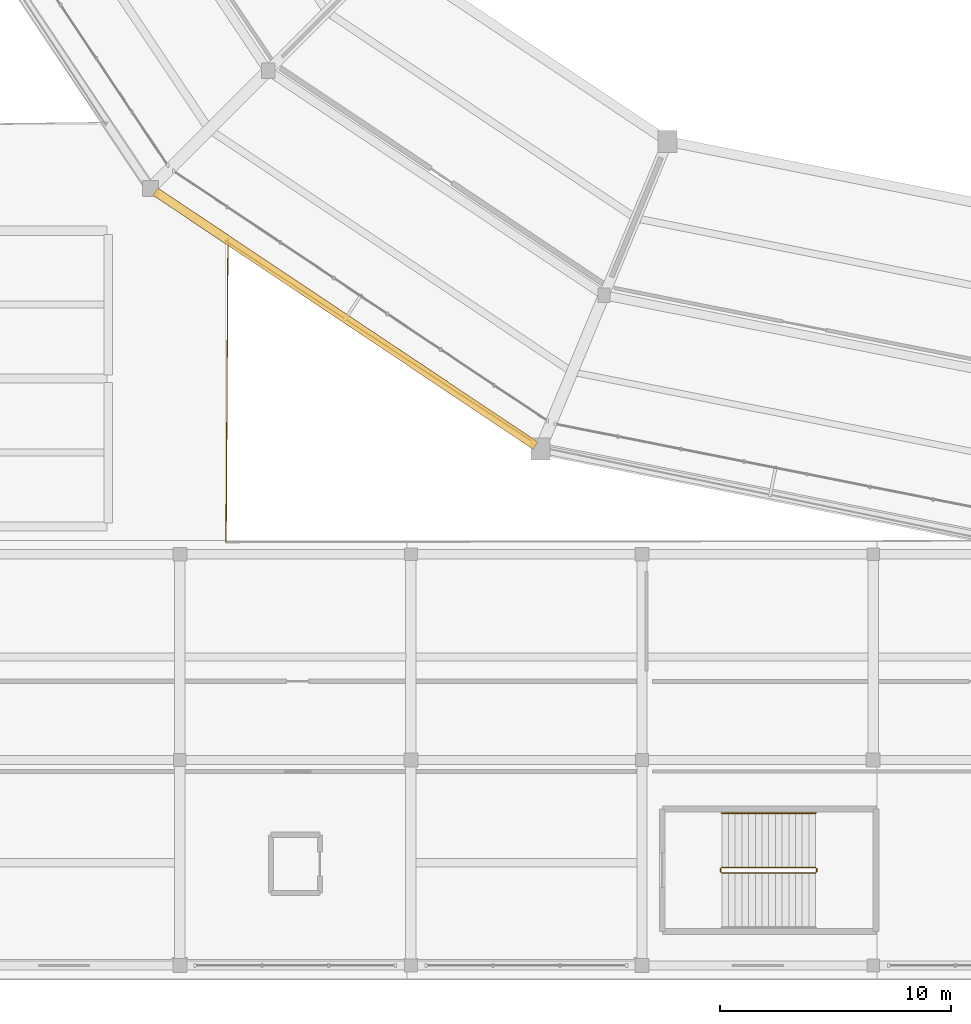
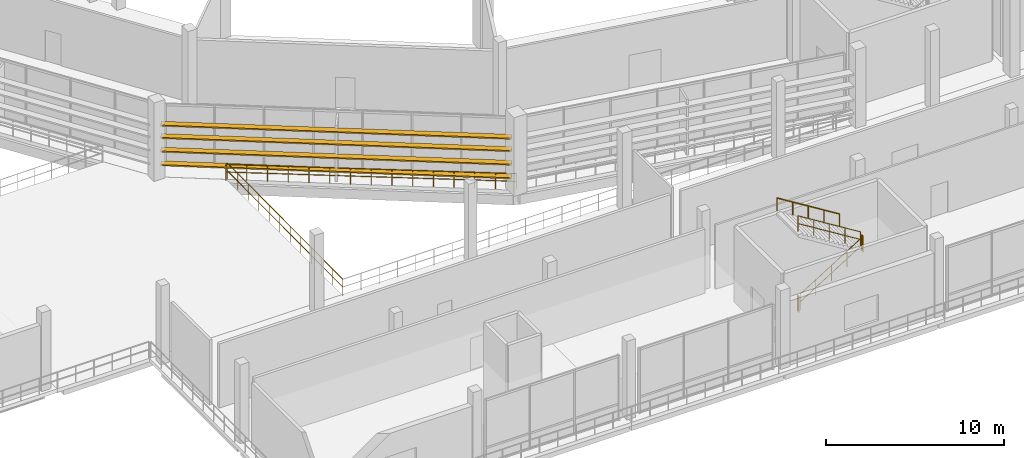
# One storey, part 88 of 111: 7 railings, 4 shading devices.
"""IFC4 building model written with IfcOpenShell, lengths in metres."""

from ifc_helpers import new_model, si_unit, direction, frame, origin, origin_2d, place, context, subcontext, project, spatial, rectangle, circle, extrude, material, layer, layer_set, type_object, element, save


model = new_model("IFC4")

# Units and contexts
model_context = context("Model", 3, precision=1e-05, world=origin(), true_north=direction((0.0, 1.0)))
body_context = subcontext(model_context, "Body", "Model", "MODEL_VIEW")
ifc_project = project(units=[si_unit("LENGTHUNIT", "METRE"), si_unit("AREAUNIT", "SQUARE_METRE"), si_unit("VOLUMEUNIT", "CUBIC_METRE"), si_unit("PLANEANGLEUNIT", "RADIAN"), si_unit("MASSUNIT", "GRAM", prefix="KILO")], contexts=[model_context])

# Site, building, storey
site_placement = place(None, origin())
site = spatial("IfcSite", under=ifc_project, at=site_placement, CompositionType="ELEMENT")
building_placement = place(site_placement, origin())
building = spatial("IfcBuilding", under=site, at=building_placement, Name="Candeia Ridge Stadium", CompositionType="ELEMENT")
storey_placement = place(building_placement, frame((0.0, 0.0, 16.199951171875)))
storey = spatial("IfcBuildingStorey", under=building, at=storey_placement, Name="L03", CompositionType="ELEMENT", Elevation=16.199951171875)

# Railings
ifc_material_1 = material(Name="Galvanized Powder-Coated Steel", Category="steel")
ifc_layer_1 = layer(ifc_material_1, 0.074951171875, Name="Galvanized Powder-Coated Steel", Category="steel")
ifc_layer_set_1 = layer_set([ifc_layer_1], Name="Galvanized Powder-Coated Steel")
railing_type_1 = type_object("IfcRailingType", Name="Spectator Bowl Front Guardrail 1120", PredefinedType="GUARDRAIL", material=ifc_layer_set_1)
railing_1_placement = place(storey_placement, frame((37.580078125, 32.0458984375, 0.0)))
element("IfcRailing", 1, at=railing_1_placement, inside=storey, type_object=railing_type_1, Name="Deck edge safety guardrail GR-DE-L03-0170", PredefinedType="GUARDRAIL", context=body_context, shape_type="SweptSolid", body=[
    extrude(circle(Radius=0.02392578125, at=origin_2d()), frame((0.0, 0.0, 1.09619140625), z_axis=(-0.006100623024, -0.999981391026, 0.0), x_axis=(0.999981391026, -0.006100623024, 0.0)), (0.0, 0.0, 1.0), 13.126220703125),
    extrude(circle(Radius=0.02392578125, at=origin_2d()), frame((0.0, 0.0, 0.56005859375), z_axis=(-0.006100623024, -0.999981391026, 0.0), x_axis=(0.999981391026, -0.006100623024, 0.0)), (0.0, 0.0, 1.0), 13.126220703125),
    extrude(circle(Radius=0.02099609375, at=origin_2d()), origin(), (0.0, 0.0, 1.0), 1.072021484375),
    extrude(circle(Radius=0.02099609375, at=origin_2d()), frame((-0.00732421875, -1.193359375, 0.0)), (0.0, 0.0, 1.0), 1.072021484375),
    extrude(circle(Radius=0.02099609375, at=origin_2d()), frame((-0.0146484375, -2.386474609375, 0.0)), (0.0, 0.0, 1.0), 1.072021484375),
    extrude(circle(Radius=0.02099609375, at=origin_2d()), frame((-0.021728515625, -3.579833984375, 0.0)), (0.0, 0.0, 1.0), 1.072021484375),
    extrude(circle(Radius=0.02099609375, at=origin_2d()), frame((-0.029052734375, -4.773193359375, 0.0)), (0.0, 0.0, 1.0), 1.072021484375),
    extrude(circle(Radius=0.02099609375, at=origin_2d()), frame((-0.036376953125, -5.96630859375, 0.0)), (0.0, 0.0, 1.0), 1.072021484375),
    extrude(circle(Radius=0.02099609375, at=origin_2d()), frame((-0.043701171875, -7.15966796875, 0.0)), (0.0, 0.0, 1.0), 1.072021484375),
    extrude(circle(Radius=0.02099609375, at=origin_2d()), frame((-0.051025390625, -8.352783203125, 0.0)), (0.0, 0.0, 1.0), 1.072021484375),
    extrude(circle(Radius=0.02099609375, at=origin_2d()), frame((-0.058349609375, -9.546142578125, 0.0)), (0.0, 0.0, 1.0), 1.072021484375),
    extrude(circle(Radius=0.02099609375, at=origin_2d()), frame((-0.0654296875, -10.739501953125, 0.0)), (0.0, 0.0, 1.0), 1.072021484375),
    extrude(circle(Radius=0.02099609375, at=origin_2d()), frame((-0.07275390625, -11.9326171875, 0.0)), (0.0, 0.0, 1.0), 1.072021484375),
    extrude(circle(Radius=0.02099609375, at=origin_2d()), frame((-0.080078125, -13.1259765625, 0.0)), (0.0, 0.0, 1.0), 1.072021484375),
])
railing_2_placement = place(storey_placement, frame((51.14501953125, 23.02490234375, 0.0)))
element("IfcRailing", 2, at=railing_2_placement, inside=storey, type_object=railing_type_1, Name="Deck edge safety guardrail GR-DE-L03-0173", PredefinedType="GUARDRAIL", context=body_context, shape_type="SweptSolid", body=[
    extrude(circle(Radius=0.02392578125, at=origin_2d()), frame((0.0, 0.0, 1.09619140625), z_axis=(-0.836870214112, 0.547401356167, 0.0), x_axis=(-0.547401356167, -0.836870214112, 0.0)), (0.0, 0.0, 1.0), 16.35791015625),
    extrude(circle(Radius=0.02392578125, at=origin_2d()), frame((0.0, 0.0, 0.56005859375), z_axis=(-0.836870214112, 0.547401356167, 0.0), x_axis=(-0.547401356167, -0.836870214112, 0.0)), (0.0, 0.0, 1.0), 16.35791015625),
    extrude(circle(Radius=0.02099609375, at=origin_2d()), origin(), (0.0, 0.0, 1.0), 1.072021484375),
    extrude(circle(Radius=0.02099609375, at=origin_2d()), frame((-0.977783203125, 0.6396484375, 0.0)), (0.0, 0.0, 1.0), 1.072021484375),
    extrude(circle(Radius=0.02099609375, at=origin_2d()), frame((-1.95556640625, 1.279296875, 0.0)), (0.0, 0.0, 1.0), 1.072021484375),
    extrude(circle(Radius=0.02099609375, at=origin_2d()), frame((-2.933349609375, 1.918701171875, 0.0)), (0.0, 0.0, 1.0), 1.072021484375),
    extrude(circle(Radius=0.02099609375, at=origin_2d()), frame((-3.911376953125, 2.558349609375, 0.0)), (0.0, 0.0, 1.0), 1.072021484375),
    extrude(circle(Radius=0.02099609375, at=origin_2d()), frame((-4.88916015625, 3.197998046875, 0.0)), (0.0, 0.0, 1.0), 1.072021484375),
    extrude(circle(Radius=0.02099609375, at=origin_2d()), frame((-5.866943359375, 3.837646484375, 0.0)), (0.0, 0.0, 1.0), 1.072021484375),
    extrude(circle(Radius=0.02099609375, at=origin_2d()), frame((-6.8447265625, 4.47705078125, 0.0)), (0.0, 0.0, 1.0), 1.072021484375),
    extrude(circle(Radius=0.02099609375, at=origin_2d()), frame((-7.822509765625, 5.11669921875, 0.0)), (0.0, 0.0, 1.0), 1.072021484375),
    extrude(circle(Radius=0.02099609375, at=origin_2d()), frame((-8.80029296875, 5.75634765625, 0.0)), (0.0, 0.0, 1.0), 1.072021484375),
    extrude(circle(Radius=0.02099609375, at=origin_2d()), frame((-9.778076171875, 6.39599609375, 0.0)), (0.0, 0.0, 1.0), 1.072021484375),
    extrude(circle(Radius=0.02099609375, at=origin_2d()), frame((-10.756103515625, 7.03564453125, 0.0)), (0.0, 0.0, 1.0), 1.072021484375),
    extrude(circle(Radius=0.02099609375, at=origin_2d()), frame((-11.73388671875, 7.675048828125, 0.0)), (0.0, 0.0, 1.0), 1.072021484375),
    extrude(circle(Radius=0.02099609375, at=origin_2d()), frame((-12.711669921875, 8.314697265625, 0.0)), (0.0, 0.0, 1.0), 1.072021484375),
    extrude(circle(Radius=0.02099609375, at=origin_2d()), frame((-13.689453125, 8.954345703125, 0.0)), (0.0, 0.0, 1.0), 1.072021484375),
])
ifc_material_2 = material(Name="Brushed Stainless Steel", Category="steel")
ifc_layer_2 = layer(ifc_material_2, 0.048095703125, Name="Brushed Stainless Steel", Category="steel")
ifc_layer_set_2 = layer_set([ifc_layer_2], Name="Brushed Stainless Steel")
railing_type_2 = type_object("IfcRailingType", Name="Stair Wall & Flight Handrail 900", PredefinedType="HANDRAIL", material=ifc_layer_set_2)
railing_3_placement = place(storey_placement, frame((63.010009765625, 7.199951171875, 2.880126953125)))
element("IfcRailing", 3, at=railing_3_placement, inside=storey, type_object=railing_type_2, Name="L03 ST13 stair handrail 2", PredefinedType="HANDRAIL", context=body_context, shape_type="SweptSolid", body=[
    extrude(circle(Radius=0.02392578125, at=origin_2d()), frame((0.0, 0.0, 0.8759765625), z_axis=(-0.849641744969, 0.0, 0.527360318194), x_axis=(0.0, -1.0, 0.0)), (0.0, 0.0, 1.0), 4.778564453125),
    extrude(circle(Radius=0.02099609375, at=origin_2d()), origin(), (0.0, 0.0, 1.0), 0.851806640625),
    extrude(circle(Radius=0.02099609375, at=origin_2d()), frame((-1.01513671875, 0.0, 0.6298828125)), (0.0, 0.0, 1.0), 0.851806640625),
    extrude(circle(Radius=0.02099609375, at=origin_2d()), frame((-2.030029296875, 0.0, 1.260009765625)), (0.0, 0.0, 1.0), 0.851806640625),
    extrude(circle(Radius=0.02099609375, at=origin_2d()), frame((-3.044921875, 0.0, 1.89013671875)), (0.0, 0.0, 1.0), 0.851806640625),
    extrude(circle(Radius=0.02099609375, at=origin_2d()), frame((-4.06005859375, 0.0, 2.52001953125)), (0.0, 0.0, 1.0), 0.851806640625),
])
ifc_layer_3 = layer(ifc_material_1, 0.06005859375, Name="Galvanized Powder-Coated Steel", Category="steel")
ifc_layer_set_3 = layer_set([ifc_layer_3], Name="Galvanized Powder-Coated Steel")
railing_type_3 = type_object("IfcRailingType", Name="Stair Well Guardrail 1100", PredefinedType="GUARDRAIL", material=ifc_layer_set_3)
railing_4_placement = place(storey_placement, frame((58.949951171875, 4.60009765625, 0.179931640625)))
element("IfcRailing", 4, at=railing_4_placement, inside=storey, type_object=railing_type_3, Name="L03 ST13 stair guard 1", PredefinedType="GUARDRAIL", context=body_context, shape_type="SweptSolid", body=[
    extrude(circle(Radius=0.02392578125, at=origin_2d()), frame((0.0, 0.0, 1.076171875), z_axis=(0.849641744969, 0.0, 0.527360318194), x_axis=(0.0, 1.0, 0.0)), (0.0, 0.0, 1.0), 4.778564453125),
    extrude(circle(Radius=0.02392578125, at=origin_2d()), frame((0.0, 0.0, 0.550048828125), z_axis=(0.849641744969, 0.0, 0.527360318194), x_axis=(0.0, 1.0, 0.0)), (0.0, 0.0, 1.0), 4.778564453125),
    extrude(circle(Radius=0.02099609375, at=origin_2d()), origin(), (0.0, 0.0, 1.0), 1.052001953125),
    extrude(circle(Radius=0.02099609375, at=origin_2d()), frame((1.01513671875, 0.0, 0.6298828125)), (0.0, 0.0, 1.0), 1.052001953125),
    extrude(circle(Radius=0.02099609375, at=origin_2d()), frame((2.030029296875, 0.0, 1.260009765625)), (0.0, 0.0, 1.0), 1.052001953125),
    extrude(circle(Radius=0.02099609375, at=origin_2d()), frame((3.044921875, 0.0, 1.89013671875)), (0.0, 0.0, 1.0), 1.052001953125),
    extrude(circle(Radius=0.02099609375, at=origin_2d()), frame((4.06005859375, 0.0, 2.52001953125)), (0.0, 0.0, 1.0), 1.052001953125),
])
railing_5_placement = place(storey_placement, frame((63.06005859375, 4.64990234375, 2.699951171875)))
element("IfcRailing", 5, at=railing_5_placement, inside=storey, type_object=railing_type_3, Name="L03 ST13 stair guard 2", PredefinedType="GUARDRAIL", context=body_context, shape_type="SweptSolid", body=[
    extrude(circle(Radius=0.02392578125, at=origin_2d()), frame((0.0, 0.0, 1.076171875), z_axis=(0.0, 1.0, 0.0), x_axis=(-1.0, 0.0, 0.0)), (0.0, 0.0, 1.0), 0.150146484375),
    extrude(circle(Radius=0.02392578125, at=origin_2d()), frame((0.0, 0.0, 0.550048828125), z_axis=(0.0, 1.0, 0.0), x_axis=(-1.0, 0.0, 0.0)), (0.0, 0.0, 1.0), 0.150146484375),
    extrude(circle(Radius=0.02099609375, at=origin_2d()), origin(), (0.0, 0.0, 1.0), 1.052001953125),
    extrude(circle(Radius=0.02099609375, at=origin_2d()), frame((0.0, 0.150146484375, 0.0)), (0.0, 0.0, 1.0), 1.052001953125),
])
railing_6_placement = place(storey_placement, frame((63.010009765625, 4.85009765625, 2.880126953125)))
element("IfcRailing", 6, at=railing_6_placement, inside=storey, type_object=railing_type_3, Name="L03 ST13 stair guard 3", PredefinedType="GUARDRAIL", context=body_context, shape_type="SweptSolid", body=[
    extrude(circle(Radius=0.02392578125, at=origin_2d()), frame((0.0, 0.0, 1.076171875), z_axis=(-0.849641744969, 0.0, 0.527360318194), x_axis=(0.0, -1.0, 0.0)), (0.0, 0.0, 1.0), 4.778564453125),
    extrude(circle(Radius=0.02392578125, at=origin_2d()), frame((0.0, 0.0, 0.550048828125), z_axis=(-0.849641744969, 0.0, 0.527360318194), x_axis=(0.0, -1.0, 0.0)), (0.0, 0.0, 1.0), 4.778564453125),
    extrude(circle(Radius=0.02099609375, at=origin_2d()), origin(), (0.0, 0.0, 1.0), 1.052001953125),
    extrude(circle(Radius=0.02099609375, at=origin_2d()), frame((-1.01513671875, 0.0, 0.6298828125)), (0.0, 0.0, 1.0), 1.052001953125),
    extrude(circle(Radius=0.02099609375, at=origin_2d()), frame((-2.030029296875, 0.0, 1.260009765625)), (0.0, 0.0, 1.0), 1.052001953125),
    extrude(circle(Radius=0.02099609375, at=origin_2d()), frame((-3.044921875, 0.0, 1.89013671875)), (0.0, 0.0, 1.0), 1.052001953125),
    extrude(circle(Radius=0.02099609375, at=origin_2d()), frame((-4.06005859375, 0.0, 2.52001953125)), (0.0, 0.0, 1.0), 1.052001953125),
])
railing_7_placement = place(storey_placement, frame((58.89990234375, 4.64990234375, 0.0)))
element("IfcRailing", 7, at=railing_7_placement, inside=storey, type_object=railing_type_3, Name="L03 ST13 stair guard 4", PredefinedType="GUARDRAIL", context=body_context, shape_type="SweptSolid", body=[
    extrude(circle(Radius=0.02392578125, at=origin_2d()), frame((0.0, 0.0, 1.076171875), z_axis=(0.0, 1.0, 0.0), x_axis=(-1.0, 0.0, 0.0)), (0.0, 0.0, 1.0), 0.150146484375),
    extrude(circle(Radius=0.02392578125, at=origin_2d()), frame((0.0, 0.0, 0.550048828125), z_axis=(0.0, 1.0, 0.0), x_axis=(-1.0, 0.0, 0.0)), (0.0, 0.0, 1.0), 0.150146484375),
    extrude(circle(Radius=0.02099609375, at=origin_2d()), origin(), (0.0, 0.0, 1.0), 1.052001953125),
    extrude(circle(Radius=0.02099609375, at=origin_2d()), frame((0.0, 0.150146484375, 0.0)), (0.0, 0.0, 1.0), 1.052001953125),
])

# Shading devices
ifc_material_3 = material(Name="Aluminium Anodized Warm Bronze", Category="aluminium")
shading_device_type = type_object("IfcShadingDeviceType", Name="Weathered Bronze Horizontal Solar Rib 380x85", PredefinedType="JALOUSIE", material=ifc_material_3)
for number, where, z_axis, x_axis, name in (
    (8, (42.66552734375, 28.59423828125, 0.891357421875), (0.0, 0.0, 1.0), (0.831469626973, -0.555570211063, 0.0), "Weathered bronze horizontal solar rib L03 bay 17-1"),
    (9, (42.66552734375, 28.59423828125, 1.825439453125), (0.0, 0.0, 1.0), (0.831469626973, -0.555570211063, 0.0), "Weathered bronze horizontal solar rib L03 bay 17-2"),
    (10, (42.66552734375, 28.59423828125, 2.75927734375), (0.0, 0.0, 1.0), (0.831469626973, -0.555570211063, 0.0), "Weathered bronze horizontal solar rib L03 bay 17-3"),
    (11, (42.66552734375, 28.59423828125, 3.608154296875), (0.0, 0.0, 1.0), (0.831469626973, -0.555570211063, 0.0), "Weathered bronze horizontal solar rib L03 bay 17-4"),
):
    element("IfcShadingDevice", number, at=place(storey_placement, frame(where, z_axis=z_axis, x_axis=x_axis)), inside=storey, type_object=shading_device_type, Name=name, PredefinedType="JALOUSIE", context=body_context, shape_type="SweptSolid", body=[
        extrude(rectangle(XDim=19.789306640625, YDim=0.3798828125, at=origin_2d()), origin(), (0.0, 0.0, 1.0), 0.0849609375),
    ])

save(model, "model.ifc")
